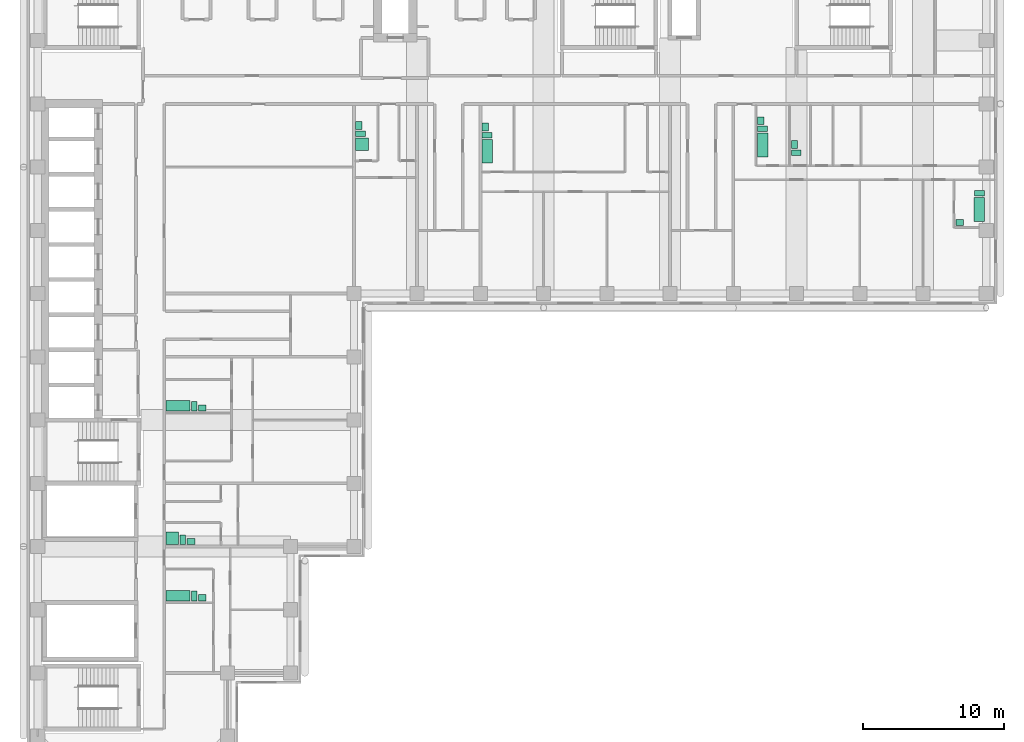
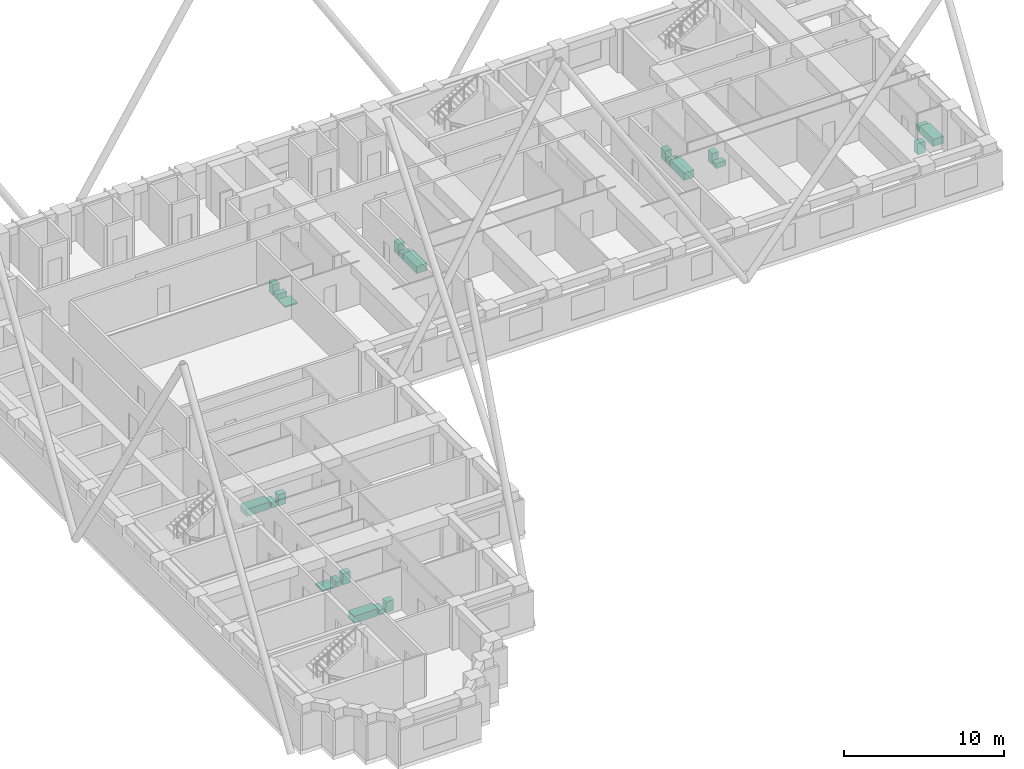
# One storey, part 13 of 13: 23 sanitary terminals.
"""IFC4 building model written with IfcOpenShell, lengths in metres."""

from ifc_helpers import new_model, si_unit, direction, frame, origin, origin_2d, place, context, subcontext, project, spatial, rectangle, extrude, material, type_object, element, save


model = new_model("IFC4")

# Units and contexts
model_context = context("Model", 3, precision=1e-05, world=origin(), true_north=direction((0.0, 1.0)))
body_context = subcontext(model_context, "Body", "Model", "MODEL_VIEW")
ifc_project = project(units=[si_unit("LENGTHUNIT", "METRE"), si_unit("AREAUNIT", "SQUARE_METRE"), si_unit("VOLUMEUNIT", "CUBIC_METRE"), si_unit("PLANEANGLEUNIT", "RADIAN"), si_unit("MASSUNIT", "GRAM", prefix="KILO")], contexts=[model_context])

# Site, building, storey
site_placement = place(None, origin())
site = spatial("IfcSite", under=ifc_project, at=site_placement, CompositionType="ELEMENT")
building_placement = place(site_placement, origin())
building = spatial("IfcBuilding", under=site, at=building_placement, Name="Firuza Court", CompositionType="ELEMENT")
storey_placement = place(building_placement, frame((0.0, 0.0, 141.199951171875)))
storey = spatial("IfcBuildingStorey", under=building, at=storey_placement, Name="L35", CompositionType="ELEMENT", Elevation=141.199951171875)

# Sanitary terminals
ifc_material_1 = material(Name="Vitreous china", Category="ceramic")
sanitary_terminal_type_1 = type_object("IfcSanitaryTerminalType", Name="Fixture Bath", PredefinedType="BATH", material=ifc_material_1)
for number, where, z_axis, x_axis, name in (
    (1, (32.0048828125, 46.1298828125, 0.0), (0.0, 0.0, 1.0), (1.0, 0.0, 0.0), "Bath"),
    (2, (51.60498046875, 46.580078125, 0.0), (0.0, 0.0, 1.0), (1.0, 0.0, 0.0), "Bath"),
    (3, (66.9951171875, 41.97998046875, 0.0), (0.0, 0.0, 1.0), (1.0, 0.0, 0.0), "Bath"),
):
    element("IfcSanitaryTerminal", number, at=place(storey_placement, frame(where, z_axis=z_axis, x_axis=x_axis)), inside=storey, type_object=sanitary_terminal_type_1, Name=name, PredefinedType="BATH", context=body_context, shape_type="SweptSolid", body=[
        extrude(rectangle(XDim=0.75, YDim=1.699951171875, at=origin_2d()), origin(), (0.0, 0.0, 1.0), 0.550048828125),
    ])
for number, where, z_axis, x_axis, name in (
    (4, (9.97998046875, 28.0048828125, 0.0), (0.0, 0.0, 1.0), (1.0, 0.0, 0.0), "Bath"),
    (5, (9.97998046875, 14.5048828125, 0.0), (0.0, 0.0, 1.0), (1.0, 0.0, 0.0), "Bath"),
):
    element("IfcSanitaryTerminal", number, at=place(storey_placement, frame(where, z_axis=z_axis, x_axis=x_axis)), inside=storey, type_object=sanitary_terminal_type_1, Name=name, PredefinedType="BATH", context=body_context, shape_type="SweptSolid", body=[
        extrude(rectangle(XDim=1.699951171875, YDim=0.75, at=origin_2d()), origin(), (0.0, 0.0, 1.0), 0.550048828125),
    ])
ifc_material_2 = material(Name="Vitreous china", Category="ceramic")
sanitary_terminal_type_2 = type_object("IfcSanitaryTerminalType", Name="Fixture Shower tray", PredefinedType="SHOWER", material=ifc_material_2)
for number, where, z_axis, x_axis, name in (
    (6, (23.080078125, 46.6298828125, 0.0), (0.0, 0.0, 1.0), (1.0, 0.0, 0.0), "Shower tray"),
    (7, (9.580078125, 18.580078125, 0.0), (0.0, 0.0, 1.0), (1.0, 0.0, 0.0), "Shower tray"),
):
    element("IfcSanitaryTerminal", number, at=place(storey_placement, frame(where, z_axis=z_axis, x_axis=x_axis)), inside=storey, type_object=sanitary_terminal_type_2, Name=name, PredefinedType="SHOWER", context=body_context, shape_type="SweptSolid", body=[
        extrude(rectangle(XDim=0.89990234375, YDim=0.89990234375, at=origin_2d()), origin(), (0.0, 0.0, 1.0), 0.10009765625),
    ])
ifc_material_3 = material(Name="Vitreous china", Category="ceramic")
sanitary_terminal_type_3 = type_object("IfcSanitaryTerminalType", Name="Fixture WC pan", PredefinedType="TOILETPAN", material=ifc_material_3)
for number, where, z_axis, x_axis, name in (
    (8, (22.97998046875, 47.3798828125, 0.0), (0.0, 0.0, 1.0), (1.0, 0.0, 0.0), "WC pan"),
    (9, (31.97998046875, 47.280029296875, 0.0), (0.0, 0.0, 1.0), (1.0, 0.0, 0.0), "WC pan"),
    (10, (51.580078125, 47.72998046875, 0.0), (0.0, 0.0, 1.0), (1.0, 0.0, 0.0), "WC pan"),
    (11, (53.97998046875, 46.030029296875, 0.0), (0.0, 0.0, 1.0), (1.0, 0.0, 0.0), "WC pan"),
    (12, (67.02001953125, 43.1298828125, 0.0), (0.0, 0.0, 1.0), (1.0, 0.0, 0.0), "WC pan"),
):
    element("IfcSanitaryTerminal", number, at=place(storey_placement, frame(where, z_axis=z_axis, x_axis=x_axis)), inside=storey, type_object=sanitary_terminal_type_3, Name=name, PredefinedType="TOILETPAN", context=body_context, shape_type="SweptSolid", body=[
        extrude(rectangle(XDim=0.699951171875, YDim=0.39990234375, at=origin_2d()), origin(), (0.0, 0.0, 1.0), 0.39990234375),
    ])
for number, where, z_axis, x_axis, name in (
    (13, (11.1298828125, 27.97998046875, 0.0), (0.0, 0.0, 1.0), (1.0, 0.0, 0.0), "WC pan"),
    (14, (10.330078125, 18.47998046875, 0.0), (0.0, 0.0, 1.0), (1.0, 0.0, 0.0), "WC pan"),
    (15, (11.1298828125, 14.47998046875, 0.0), (0.0, 0.0, 1.0), (1.0, 0.0, 0.0), "WC pan"),
):
    element("IfcSanitaryTerminal", number, at=place(storey_placement, frame(where, z_axis=z_axis, x_axis=x_axis)), inside=storey, type_object=sanitary_terminal_type_3, Name=name, PredefinedType="TOILETPAN", context=body_context, shape_type="SweptSolid", body=[
        extrude(rectangle(XDim=0.39990234375, YDim=0.699951171875, at=origin_2d()), origin(), (0.0, 0.0, 1.0), 0.39990234375),
    ])
ifc_material_4 = material(Name="Vitreous china", Category="ceramic")
sanitary_terminal_type_4 = type_object("IfcSanitaryTerminalType", Name="Fixture Washbasin", PredefinedType="WASHHANDBASIN", material=ifc_material_4)
for number, where, z_axis, x_axis, name in (
    (16, (22.85498046875, 47.955078125, 0.0), (0.0, 0.0, 1.0), (1.0, 0.0, 0.0), "Washbasin"),
    (17, (31.85498046875, 47.85498046875, 0.0), (0.0, 0.0, 1.0), (1.0, 0.0, 0.0), "Washbasin"),
    (18, (51.455078125, 48.304931640625, 0.0), (0.0, 0.0, 1.0), (1.0, 0.0, 0.0), "Washbasin"),
    (19, (53.85498046875, 46.60498046875, 0.0), (0.0, 0.0, 1.0), (1.0, 0.0, 0.0), "Washbasin"),
):
    element("IfcSanitaryTerminal", number, at=place(storey_placement, frame(where, z_axis=z_axis, x_axis=x_axis)), inside=storey, type_object=sanitary_terminal_type_4, Name=name, PredefinedType="WASHHANDBASIN", context=body_context, shape_type="SweptSolid", body=[
        extrude(rectangle(XDim=0.449951171875, YDim=0.550048828125, at=origin_2d()), origin(), (0.0, 0.0, 1.0), 0.85009765625),
    ])
for number, where, z_axis, x_axis, name in (
    (20, (65.60498046875, 41.054931640625, 0.0), (0.0, 0.0, 1.0), (1.0, 0.0, 0.0), "Washbasin"),
    (21, (11.705078125, 27.85498046875, 0.0), (0.0, 0.0, 1.0), (1.0, 0.0, 0.0), "Washbasin"),
    (22, (10.905029296875, 18.35498046875, 0.0), (0.0, 0.0, 1.0), (1.0, 0.0, 0.0), "Washbasin"),
    (23, (11.705078125, 14.35498046875, 0.0), (0.0, 0.0, 1.0), (1.0, 0.0, 0.0), "Washbasin"),
):
    element("IfcSanitaryTerminal", number, at=place(storey_placement, frame(where, z_axis=z_axis, x_axis=x_axis)), inside=storey, type_object=sanitary_terminal_type_4, Name=name, PredefinedType="WASHHANDBASIN", context=body_context, shape_type="SweptSolid", body=[
        extrude(rectangle(XDim=0.550048828125, YDim=0.449951171875, at=origin_2d()), origin(), (0.0, 0.0, 1.0), 0.85009765625),
    ])

save(model, "model.ifc")
